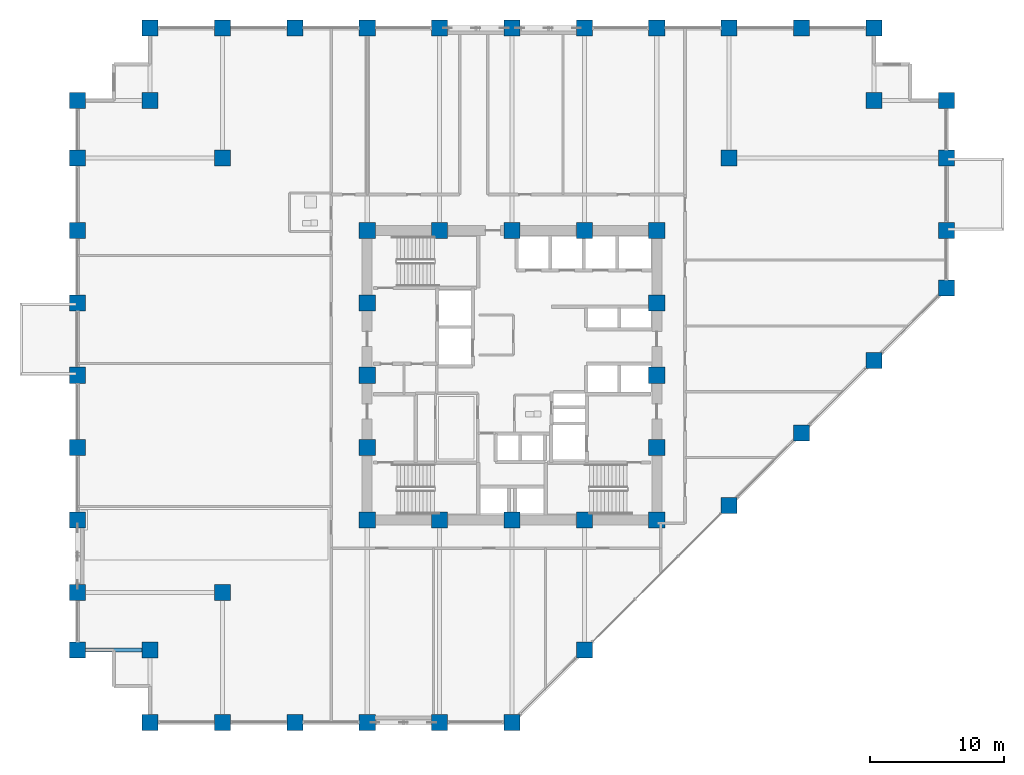
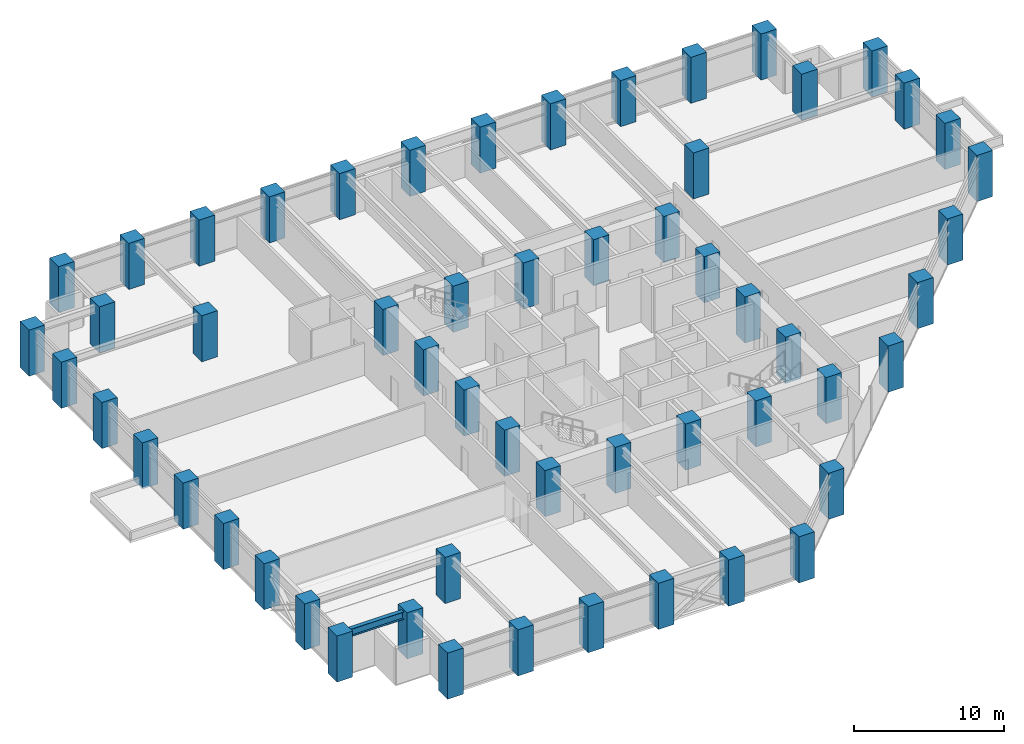
# One storey, part 1 of 26: 56 columns, 1 beam.
"""IFC4 building model written with IfcOpenShell, lengths in metres."""

from ifc_helpers import new_model, si_unit, direction, frame, origin, origin_2d, place, context, subcontext, project, spatial, rectangle, i_section, extrude, material, material_profile, profile_set, type_object, element, save


model = new_model("IFC4")

# Units and contexts
model_context = context("Model", 3, precision=1e-05, world=origin(), true_north=direction((0.0, 1.0)))
body_context = subcontext(model_context, "Body", "Model", "MODEL_VIEW")
ifc_project = project(units=[si_unit("LENGTHUNIT", "METRE"), si_unit("AREAUNIT", "SQUARE_METRE"), si_unit("VOLUMEUNIT", "CUBIC_METRE"), si_unit("PLANEANGLEUNIT", "RADIAN"), si_unit("MASSUNIT", "GRAM", prefix="KILO")], contexts=[model_context])

# Site, building, storey
site_placement = place(None, origin())
site = spatial("IfcSite", under=ifc_project, at=site_placement, CompositionType="ELEMENT")
building_placement = place(site_placement, origin())
building = spatial("IfcBuilding", under=site, at=building_placement, Name="Surkhivell Harbour Commons", CompositionType="ELEMENT")
storey_placement = place(building_placement, frame((0.0, 0.0, 71.25)))
storey = spatial("IfcBuildingStorey", under=building, at=storey_placement, Name="L18", CompositionType="ELEMENT", Elevation=71.25)

# Columns
ifc_material_1 = material(Name="Concrete C80/95", Category="concrete")
ifc_material_profile_1 = material_profile(ifc_material_1, rectangle(XDim=1.199951171875, YDim=1.199951171875, at=origin_2d()), Name="RC-COL-1200x1200")
ifc_profile_set_1 = profile_set([ifc_material_profile_1], Name="Concrete C80/95")
column_type = type_object("IfcColumnType", Name="COL-TUBE-Z1B", PredefinedType="COLUMN", material=ifc_profile_set_1)
for number, where, z_axis, x_axis, name in (
    (1, (-32.39990234375, -20.5, 0.0), (0.0, 0.0, 1.0), (1.0, 0.0, 0.0), "L18 Column CT-1B (-32.4,-20.5)"),
    (2, (-32.39990234375, -16.199951171875, 0.0), (0.0, 0.0, 1.0), (1.0, 0.0, 0.0), "L18 Column CT-1B (-32.4,-16.2)"),
    (3, (-32.39990234375, -10.800048828125, 0.0), (0.0, 0.0, 1.0), (1.0, 0.0, 0.0), "L18 Column CT-1B (-32.4,-10.8)"),
    (4, (-32.39990234375, -5.39990234375, 0.0), (0.0, 0.0, 1.0), (1.0, 0.0, 0.0), "L18 Column CT-1B (-32.4,-5.4)"),
    (5, (-32.39990234375, 0.0, 0.0), (0.0, 0.0, 1.0), (1.0, 0.0, 0.0), "L18 Column CT-1B (-32.4,0.0)"),
    (6, (-32.39990234375, 5.39990234375, 0.0), (0.0, 0.0, 1.0), (1.0, 0.0, 0.0), "L18 Column CT-1B (-32.4,5.4)"),
    (7, (-32.39990234375, 10.800048828125, 0.0), (0.0, 0.0, 1.0), (1.0, 0.0, 0.0), "L18 Column CT-1B (-32.4,10.8)"),
    (8, (-32.39990234375, 16.199951171875, 0.0), (0.0, 0.0, 1.0), (1.0, 0.0, 0.0), "L18 Column CT-1B (-32.4,16.2)"),
    (9, (-32.39990234375, 20.5, 0.0), (0.0, 0.0, 1.0), (1.0, 0.0, 0.0), "L18 Column CT-1B (-32.4,20.5)"),
    (10, (-27.0, -25.89990234375, 0.0), (0.0, 0.0, 1.0), (1.0, 0.0, 0.0), "L18 Column CT-1B (-27.0,-25.9)"),
    (11, (-27.0, -20.5, 0.0), (0.0, 0.0, 1.0), (1.0, 0.0, 0.0), "L18 Column CT-1B (-27.0,-20.5)"),
    (12, (-27.0, 20.5, 0.0), (0.0, 0.0, 1.0), (1.0, 0.0, 0.0), "L18 Column CT-1B (-27.0,20.5)"),
    (13, (-27.0, 25.89990234375, 0.0), (0.0, 0.0, 1.0), (1.0, 0.0, 0.0), "L18 Column CT-1B (-27.0,25.9)"),
    (14, (-21.60009765625, -25.89990234375, 0.0), (0.0, 0.0, 1.0), (1.0, 0.0, 0.0), "L18 Column CT-1B (-21.6,-25.9)"),
    (15, (-21.60009765625, -16.199951171875, 0.0), (0.0, 0.0, 1.0), (1.0, 0.0, 0.0), "L18 Column CT-1B (-21.6,-16.2)"),
    (16, (-21.60009765625, 16.199951171875, 0.0), (0.0, 0.0, 1.0), (1.0, 0.0, 0.0), "L18 Column CT-1B (-21.6,16.2)"),
    (17, (-21.60009765625, 25.89990234375, 0.0), (0.0, 0.0, 1.0), (1.0, 0.0, 0.0), "L18 Column CT-1B (-21.6,25.9)"),
    (18, (-16.199951171875, -25.89990234375, 0.0), (0.0, 0.0, 1.0), (1.0, 0.0, 0.0), "L18 Column CT-1B (-16.2,-25.9)"),
    (19, (-16.199951171875, 25.89990234375, 0.0), (0.0, 0.0, 1.0), (1.0, 0.0, 0.0), "L18 Column CT-1B (-16.2,25.9)"),
    (20, (-10.800048828125, -25.89990234375, 0.0), (0.0, 0.0, 1.0), (1.0, 0.0, 0.0), "L18 Column CT-1B (-10.8,-25.9)"),
    (21, (-10.800048828125, -10.800048828125, 0.0), (0.0, 0.0, 1.0), (1.0, 0.0, 0.0), "L18 Column CT-1B (-10.8,-10.8)"),
    (22, (-10.800048828125, -5.39990234375, 0.0), (0.0, 0.0, 1.0), (1.0, 0.0, 0.0), "L18 Column CT-1B (-10.8,-5.4)"),
    (23, (-10.800048828125, 0.0, 0.0), (0.0, 0.0, 1.0), (1.0, 0.0, 0.0), "L18 Column CT-1B (-10.8,0.0)"),
    (24, (-10.800048828125, 5.39990234375, 0.0), (0.0, 0.0, 1.0), (1.0, 0.0, 0.0), "L18 Column CT-1B (-10.8,5.4)"),
    (25, (-10.800048828125, 10.800048828125, 0.0), (0.0, 0.0, 1.0), (1.0, 0.0, 0.0), "L18 Column CT-1B (-10.8,10.8)"),
    (26, (-10.800048828125, 25.89990234375, 0.0), (0.0, 0.0, 1.0), (1.0, 0.0, 0.0), "L18 Column CT-1B (-10.8,25.9)"),
    (27, (-5.39990234375, -25.89990234375, 0.0), (0.0, 0.0, 1.0), (1.0, 0.0, 0.0), "L18 Column CT-1B (-5.4,-25.9)"),
    (28, (-5.39990234375, -10.800048828125, 0.0), (0.0, 0.0, 1.0), (1.0, 0.0, 0.0), "L18 Column CT-1B (-5.4,-10.8)"),
    (29, (-5.39990234375, 10.800048828125, 0.0), (0.0, 0.0, 1.0), (1.0, 0.0, 0.0), "L18 Column CT-1B (-5.4,10.8)"),
    (30, (-5.39990234375, 25.89990234375, 0.0), (0.0, 0.0, 1.0), (1.0, 0.0, 0.0), "L18 Column CT-1B (-5.4,25.9)"),
    (31, (0.0, -25.89990234375, 0.0), (0.0, 0.0, 1.0), (1.0, 0.0, 0.0), "L18 Column CT-1B (-0.0,-25.9)"),
    (32, (0.0, -10.800048828125, 0.0), (0.0, 0.0, 1.0), (1.0, 0.0, 0.0), "L18 Column CT-1B (0.0,-10.8)"),
    (33, (0.0, 10.800048828125, 0.0), (0.0, 0.0, 1.0), (1.0, 0.0, 0.0), "L18 Column CT-1B (0.0,10.8)"),
    (34, (0.0, 25.89990234375, 0.0), (0.0, 0.0, 1.0), (1.0, 0.0, 0.0), "L18 Column CT-1B (-0.0,25.9)"),
    (35, (5.39990234375, -20.5, 0.0), (0.0, 0.0, 1.0), (1.0, 0.0, 0.0), "L18 Column CT-1B (5.4,-20.5)"),
    (36, (5.39990234375, -10.800048828125, 0.0), (0.0, 0.0, 1.0), (1.0, 0.0, 0.0), "L18 Column CT-1B (5.4,-10.8)"),
    (37, (5.39990234375, 10.800048828125, 0.0), (0.0, 0.0, 1.0), (1.0, 0.0, 0.0), "L18 Column CT-1B (5.4,10.8)"),
    (38, (5.39990234375, 25.89990234375, 0.0), (0.0, 0.0, 1.0), (1.0, 0.0, 0.0), "L18 Column CT-1B (5.4,25.9)"),
    (39, (10.800048828125, -10.800048828125, 0.0), (0.0, 0.0, 1.0), (1.0, 0.0, 0.0), "L18 Column CT-1B (10.8,-10.8)"),
    (40, (10.800048828125, -5.39990234375, 0.0), (0.0, 0.0, 1.0), (1.0, 0.0, 0.0), "L18 Column CT-1B (10.8,-5.4)"),
    (41, (10.800048828125, 0.0, 0.0), (0.0, 0.0, 1.0), (1.0, 0.0, 0.0), "L18 Column CT-1B (10.8,0.0)"),
    (42, (10.800048828125, 5.39990234375, 0.0), (0.0, 0.0, 1.0), (1.0, 0.0, 0.0), "L18 Column CT-1B (10.8,5.4)"),
    (43, (10.800048828125, 10.800048828125, 0.0), (0.0, 0.0, 1.0), (1.0, 0.0, 0.0), "L18 Column CT-1B (10.8,10.8)"),
    (44, (10.800048828125, 25.89990234375, 0.0), (0.0, 0.0, 1.0), (1.0, 0.0, 0.0), "L18 Column CT-1B (10.8,25.9)"),
    (45, (16.199951171875, -9.699951171875, 0.0), (0.0, 0.0, 1.0), (1.0, 0.0, 0.0), "L18 Column CT-1B (16.2,-9.7)"),
    (46, (16.199951171875, 16.199951171875, 0.0), (0.0, 0.0, 1.0), (1.0, 0.0, 0.0), "L18 Column CT-1B (16.2,16.2)"),
    (47, (16.199951171875, 25.89990234375, 0.0), (0.0, 0.0, 1.0), (1.0, 0.0, 0.0), "L18 Column CT-1B (16.2,25.9)"),
    (48, (21.60009765625, -4.300048828125, 0.0), (0.0, 0.0, 1.0), (1.0, 0.0, 0.0), "L18 Column CT-1B (21.6,-4.3)"),
    (49, (21.60009765625, 25.89990234375, 0.0), (0.0, 0.0, 1.0), (1.0, 0.0, 0.0), "L18 Column CT-1B (21.6,25.9)"),
    (50, (27.0, 1.10009765625, 0.0), (0.0, 0.0, 1.0), (1.0, 0.0, 0.0), "L18 Column CT-1B (27.0,1.1)"),
    (51, (27.0, 20.5, 0.0), (0.0, 0.0, 1.0), (1.0, 0.0, 0.0), "L18 Column CT-1B (27.0,20.5)"),
    (52, (27.0, 25.89990234375, 0.0), (0.0, 0.0, 1.0), (1.0, 0.0, 0.0), "L18 Column CT-1B (27.0,25.9)"),
    (53, (32.39990234375, 6.5, 0.0), (0.0, 0.0, 1.0), (1.0, 0.0, 0.0), "L18 Column CT-1B (32.4,6.5)"),
    (54, (32.39990234375, 10.800048828125, 0.0), (0.0, 0.0, 1.0), (1.0, 0.0, 0.0), "L18 Column CT-1B (32.4,10.8)"),
    (55, (32.39990234375, 16.199951171875, 0.0), (0.0, 0.0, 1.0), (1.0, 0.0, 0.0), "L18 Column CT-1B (32.4,16.2)"),
    (56, (32.39990234375, 20.5, 0.0), (0.0, 0.0, 1.0), (1.0, 0.0, 0.0), "L18 Column CT-1B (32.4,20.5)"),
):
    element("IfcColumn", number, at=place(storey_placement, frame(where, z_axis=z_axis, x_axis=x_axis)), inside=storey, type_object=column_type, Name=name, PredefinedType="COLUMN", context=body_context, shape_type="SweptSolid", body=[
        extrude(rectangle(XDim=1.199951171875, YDim=1.199951171875, at=origin_2d()), origin(), (0.0, 0.0, 1.0), 3.75),
    ])

# Beam
ifc_material_2 = material(Name="Steel S355", Category="steel")
ifc_material_profile_2 = material_profile(ifc_material_2, i_section(OverallWidth=0.306884765625, OverallDepth=0.6201171875, WebThickness=0.01416015625, FlangeThickness=0.023681640625, at=origin_2d()), Name="UB610x305x179")
ifc_profile_set_2 = profile_set([ifc_material_profile_2], Name="Steel S355")
beam_type = type_object("IfcBeamType", Name="BM-GRD-610A", PredefinedType="BEAM", material=ifc_profile_set_2)
beam_placement = place(storey_placement, frame((-32.39990234375, -20.5, 3.260009765625), z_axis=(1.0, 0.0, 0.0), x_axis=(0.0, 1.0, 0.0)))
element("IfcBeam", 57, at=beam_placement, inside=storey, type_object=beam_type, Name="L18 Floor Girder (-32.4,-20.5)", PredefinedType="BEAM", context=body_context, shape_type="SweptSolid", body=[
    extrude(i_section(OverallWidth=0.306884765625, OverallDepth=0.6201171875, WebThickness=0.01416015625, FlangeThickness=0.023681640625, at=origin_2d()), origin(), (0.0, 0.0, 1.0), 5.39990234375),
])

save(model, "model.ifc")
